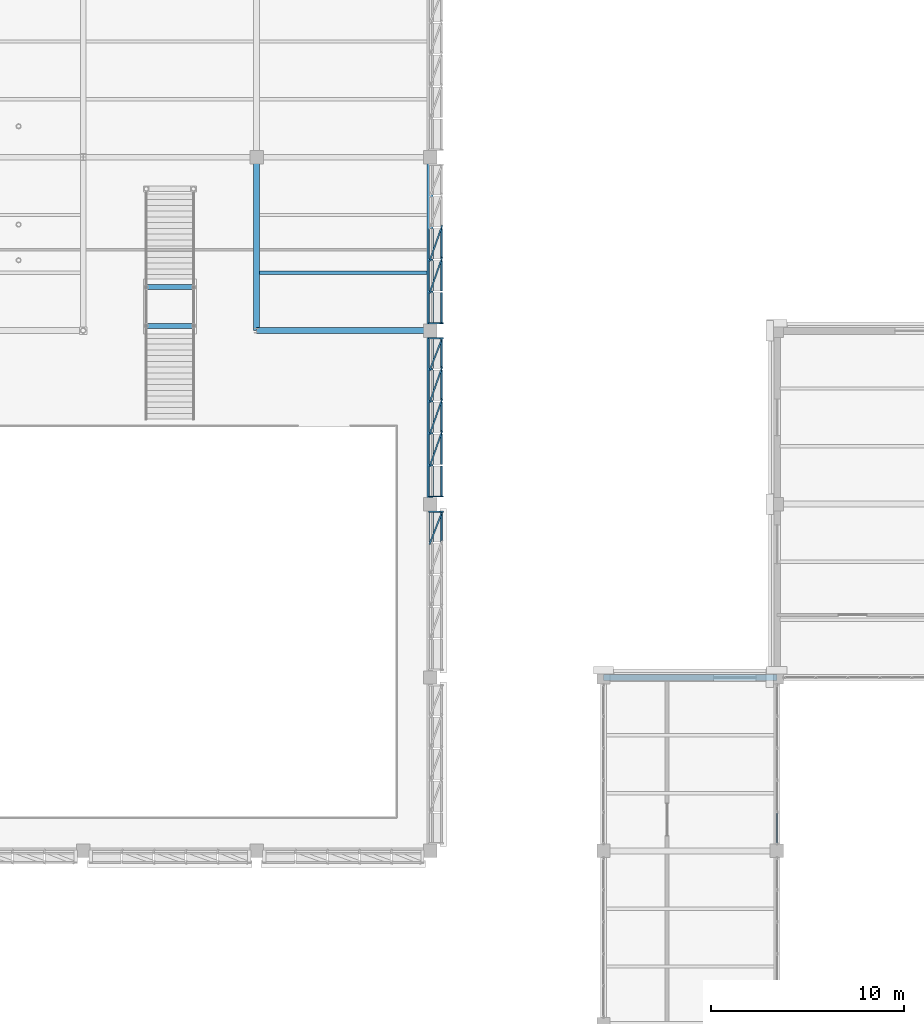
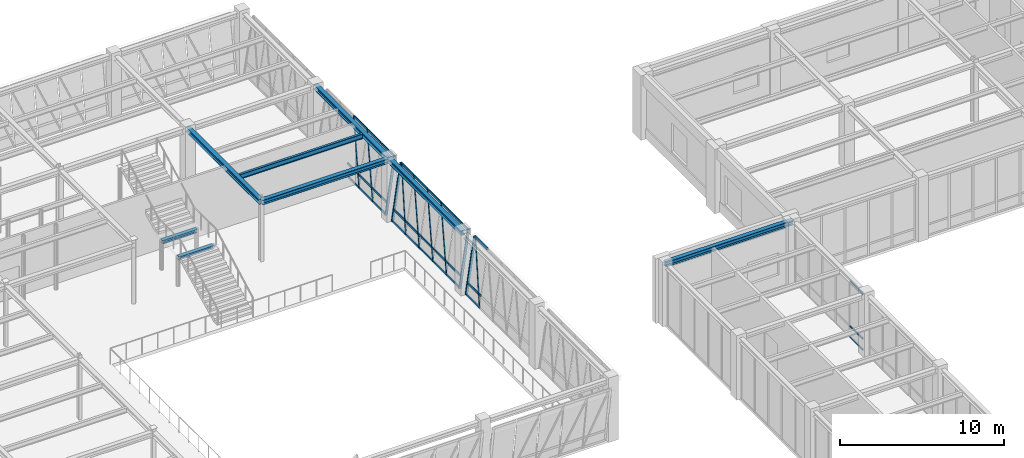
# One storey, part 59 of 92: 41 members, 8 beams, 4 elements without a shape of their own.
"""IFC4 building model written with IfcOpenShell, lengths in metres."""

from ifc_helpers import new_model, si_unit, direction, frame, origin, origin_2d, place, context, subcontext, project, spatial, hollow_rectangle, i_section, extrude, material, material_profile, profile_set, type_object, element, aggregate, save


model = new_model("IFC4")

# Units and contexts
model_context = context("Model", 3, precision=1e-05, world=origin(), true_north=direction((0.0, 1.0)))
body_context = subcontext(model_context, "Body", "Model", "MODEL_VIEW")
ifc_project = project(units=[si_unit("LENGTHUNIT", "METRE"), si_unit("AREAUNIT", "SQUARE_METRE"), si_unit("VOLUMEUNIT", "CUBIC_METRE"), si_unit("PLANEANGLEUNIT", "RADIAN"), si_unit("MASSUNIT", "GRAM", prefix="KILO")], contexts=[model_context])

# Site, building, storey
site_placement = place(None, origin())
site = spatial("IfcSite", under=ifc_project, at=site_placement, CompositionType="ELEMENT")
building_placement = place(site_placement, origin())
building = spatial("IfcBuilding", under=site, at=building_placement, Name="Lykobir Media Centre", CompositionType="ELEMENT")
storey_placement = place(building_placement, frame((0.0, 0.0, 5.39990234375)))
storey = spatial("IfcBuildingStorey", under=building, at=storey_placement, Name="L01", CompositionType="ELEMENT", Elevation=5.39990234375)

# Beams
ifc_material_1 = material(Name="Steel S355", Category="steel")
ifc_material_profile_1 = material_profile(ifc_material_1, i_section(OverallWidth=0.300048828125, OverallDepth=0.35009765625, WebThickness=0.010009765625, FlangeThickness=0.017578125, at=origin_2d()), Name="HEA 360")
ifc_profile_set_1 = profile_set([ifc_material_profile_1], Name="Steel S355")
beam_type_1 = type_object("IfcBeamType", Name="BM-HEA360", PredefinedType="BEAM", material=ifc_profile_set_1)
beam_1_placement = place(storey_placement, frame((72.0, 90.0, 4.385009765625), z_axis=(0.0, 1.0, 0.0), x_axis=(-1.0, 0.0, 0.0)))
element("IfcBeam", 1, at=beam_1_placement, inside=storey, type_object=beam_type_1, Name="Beam BM-L01-0720-0900-0720-0990-978", PredefinedType="BEAM", context=body_context, shape_type="SweptSolid", body=[
    extrude(i_section(OverallWidth=0.300048828125, OverallDepth=0.35009765625, WebThickness=0.010009765625, FlangeThickness=0.017578125, at=origin_2d()), origin(), (0.0, 0.0, 1.0), 9.0),
])
ifc_material_profile_2 = material_profile(ifc_material_1, i_section(OverallWidth=0.260009765625, OverallDepth=0.25, WebThickness=0.007568359375, FlangeThickness=0.012451171875, at=origin_2d()), Name="HEA 260")
ifc_profile_set_2 = profile_set([ifc_material_profile_2], Name="Steel S355")
beam_type_2 = type_object("IfcBeamType", Name="BM-ST260", PredefinedType="BEAM", material=ifc_profile_set_2)
for number, where, z_axis, x_axis, name in (
    (2, (66.27490234375, 90.25, 2.070068359375), (1.0, 0.0, 0.0), (0.0, 1.0, 0.0), "Valley stair landing beam 2"),
    (3, (66.27490234375, 92.25, 2.070068359375), (1.0, 0.0, 0.0), (0.0, 1.0, 0.0), "Valley stair landing beam 2"),
):
    element("IfcBeam", number, at=place(storey_placement, frame(where, z_axis=z_axis, x_axis=x_axis)), inside=storey, type_object=beam_type_2, Name=name, PredefinedType="BEAM", context=body_context, shape_type="SweptSolid", body=[
        extrude(i_section(OverallWidth=0.260009765625, OverallDepth=0.25, WebThickness=0.007568359375, FlangeThickness=0.012451171875, at=origin_2d()), origin(), (0.0, 0.0, 1.0), 2.4501953125),
    ])

# Curtain wall, members
ifc_material_2 = material(Name="Anodized Aluminium AW-6060", Category="aluminium")
curtain_wall_type_1 = type_object("IfcCurtainWallType", Name="CW-V6-CR1", PredefinedType="NOTDEFINED", material=ifc_material_2)
curtain_wall_1_placement = place(storey_placement, origin())
curtain_wall_1 = element("IfcCurtainWall", 4, at=curtain_wall_1_placement, inside=storey, type_object=curtain_wall_type_1, Name="Curtain wall CW2-L01-0059", PredefinedType="NOTDEFINED")
ifc_material_profile_3 = material_profile(ifc_material_2, hollow_rectangle(XDim=0.074951171875, YDim=0.179931640625, WallThickness=0.00390625, at=origin_2d()), Name="ALU MULLION 75x180")
ifc_profile_set_3 = profile_set([ifc_material_profile_3], Name="Anodized Aluminium AW-6060")
member_type_1 = type_object("IfcMemberType", Name="CWM-180", PredefinedType="MULLION", material=ifc_profile_set_3)
member_1_placement = place(storey_placement, frame((81.0, 78.987060546875, 0.0), z_axis=(0.133993559544, 0.34256027137, 0.929891491777), x_axis=(0.931290526487, -0.364277305463, 0.0)))
member_1 = element("IfcMember", 5, at=member_1_placement, type_object=member_type_1, Name="CW2-L01-0059 mullion 5", PredefinedType="MULLION", context=body_context, shape_type="SweptSolid", body=[
    extrude(hollow_rectangle(XDim=0.074951171875, YDim=0.179931640625, WallThickness=0.00390625, at=origin_2d()), origin(), (0.0, 0.0, 1.0), 4.511474609375),
])
member_2_placement = place(storey_placement, frame((81.0, 80.607421875, 0.0), z_axis=(0.142622832142, 0.0, 0.989777110137), x_axis=(0.0, -1.0, 0.0)))
member_2 = element("IfcMember", 6, at=member_2_placement, type_object=member_type_1, Name="CW2-L01-0059 mullion 6", PredefinedType="MULLION", context=body_context, shape_type="SweptSolid", body=[
    extrude(hollow_rectangle(XDim=0.074951171875, YDim=0.179931640625, WallThickness=0.00390625, at=origin_2d()), origin(), (0.0, 0.0, 1.0), 4.23828125),
])

curtain_wall_2_placement = place(storey_placement, origin())
curtain_wall_2 = element("IfcCurtainWall", 7, at=curtain_wall_2_placement, inside=storey, type_object=curtain_wall_type_1, Name="Curtain wall CW2-L01-0060", PredefinedType="NOTDEFINED")
member_3_placement = place(storey_placement, frame((81.0, 81.392578125, 0.0), z_axis=(0.142622832142, 0.0, 0.989777110137), x_axis=(0.0, -1.0, 0.0)))
member_3 = element("IfcMember", 8, at=member_3_placement, type_object=member_type_1, Name="CW2-L01-0060 mullion 1", PredefinedType="MULLION", context=body_context, shape_type="SweptSolid", body=[
    extrude(hollow_rectangle(XDim=0.074951171875, YDim=0.179931640625, WallThickness=0.00390625, at=origin_2d()), origin(), (0.0, 0.0, 1.0), 4.23828125),
])
member_4_placement = place(storey_placement, frame((81.0, 83.012939453125, 0.0), z_axis=(0.132237817099, 0.374602604658, 0.917706951217), x_axis=(0.942970475976, -0.332876375608, 0.0)))
member_4 = element("IfcMember", 9, at=member_4_placement, type_object=member_type_1, Name="CW2-L01-0060 mullion 2", PredefinedType="MULLION", context=body_context, shape_type="SweptSolid", body=[
    extrude(hollow_rectangle(XDim=0.074951171875, YDim=0.179931640625, WallThickness=0.00390625, at=origin_2d()), origin(), (0.0, 0.0, 1.0), 4.5712890625),
])
member_5_placement = place(storey_placement, frame((81.0, 84.6708984375, 0.0), z_axis=(0.132237817099, 0.374602604658, 0.917706951217), x_axis=(0.942970475976, -0.332876375608, 0.0)))
member_5 = element("IfcMember", 10, at=member_5_placement, type_object=member_type_1, Name="CW2-L01-0060 mullion 3", PredefinedType="MULLION", context=body_context, shape_type="SweptSolid", body=[
    extrude(hollow_rectangle(XDim=0.074951171875, YDim=0.179931640625, WallThickness=0.00390625, at=origin_2d()), origin(), (0.0, 0.0, 1.0), 4.5712890625),
])
member_6_placement = place(storey_placement, frame((81.0, 86.3291015625, 0.0), z_axis=(0.132237817099, 0.374602604658, 0.917706951217), x_axis=(0.942970475976, -0.332876375608, 0.0)))
member_6 = element("IfcMember", 11, at=member_6_placement, type_object=member_type_1, Name="CW2-L01-0060 mullion 4", PredefinedType="MULLION", context=body_context, shape_type="SweptSolid", body=[
    extrude(hollow_rectangle(XDim=0.074951171875, YDim=0.179931640625, WallThickness=0.00390625, at=origin_2d()), origin(), (0.0, 0.0, 1.0), 4.5712890625),
])
member_7_placement = place(storey_placement, frame((81.0, 87.987060546875, 0.0), z_axis=(0.133993559544, 0.34256027137, 0.929891491777), x_axis=(0.931290526487, -0.364277305463, 0.0)))
member_7 = element("IfcMember", 12, at=member_7_placement, type_object=member_type_1, Name="CW2-L01-0060 mullion 5", PredefinedType="MULLION", context=body_context, shape_type="SweptSolid", body=[
    extrude(hollow_rectangle(XDim=0.074951171875, YDim=0.179931640625, WallThickness=0.00390625, at=origin_2d()), origin(), (0.0, 0.0, 1.0), 4.511474609375),
])
member_8_placement = place(storey_placement, frame((81.0, 89.607421875, 0.0), z_axis=(0.142622832142, 0.0, 0.989777110137), x_axis=(0.0, -1.0, 0.0)))
member_8 = element("IfcMember", 13, at=member_8_placement, type_object=member_type_1, Name="CW2-L01-0060 mullion 6", PredefinedType="MULLION", context=body_context, shape_type="SweptSolid", body=[
    extrude(hollow_rectangle(XDim=0.074951171875, YDim=0.179931640625, WallThickness=0.00390625, at=origin_2d()), origin(), (0.0, 0.0, 1.0), 4.23828125),
])

curtain_wall_3_placement = place(storey_placement, origin())
curtain_wall_3 = element("IfcCurtainWall", 14, at=curtain_wall_3_placement, inside=storey, type_object=curtain_wall_type_1, Name="Curtain wall CW2-L01-0061", PredefinedType="NOTDEFINED")
member_9_placement = place(storey_placement, frame((81.0, 90.392578125, 0.0), z_axis=(0.142622832142, 0.0, 0.989777110137), x_axis=(0.0, -1.0, 0.0)))
member_9 = element("IfcMember", 15, at=member_9_placement, type_object=member_type_1, Name="CW2-L01-0061 mullion 1", PredefinedType="MULLION", context=body_context, shape_type="SweptSolid", body=[
    extrude(hollow_rectangle(XDim=0.074951171875, YDim=0.179931640625, WallThickness=0.00390625, at=origin_2d()), origin(), (0.0, 0.0, 1.0), 4.23828125),
])
member_10_placement = place(storey_placement, frame((81.0, 92.012939453125, 0.0), z_axis=(0.132237817099, 0.374602604658, 0.917706951217), x_axis=(0.942970475976, -0.332876375608, 0.0)))
member_10 = element("IfcMember", 16, at=member_10_placement, type_object=member_type_1, Name="CW2-L01-0061 mullion 2", PredefinedType="MULLION", context=body_context, shape_type="SweptSolid", body=[
    extrude(hollow_rectangle(XDim=0.074951171875, YDim=0.179931640625, WallThickness=0.00390625, at=origin_2d()), origin(), (0.0, 0.0, 1.0), 4.5712890625),
])
member_11_placement = place(storey_placement, frame((81.0, 93.6708984375, 0.0), z_axis=(0.132237817099, 0.374602604658, 0.917706951217), x_axis=(0.942970475976, -0.332876375608, 0.0)))
member_11 = element("IfcMember", 17, at=member_11_placement, type_object=member_type_1, Name="CW2-L01-0061 mullion 3", PredefinedType="MULLION", context=body_context, shape_type="SweptSolid", body=[
    extrude(hollow_rectangle(XDim=0.074951171875, YDim=0.179931640625, WallThickness=0.00390625, at=origin_2d()), origin(), (0.0, 0.0, 1.0), 4.5712890625),
])

curtain_wall_type_2 = type_object("IfcCurtainWallType", Name="CW-COURT-A", PredefinedType="NOTDEFINED", material=ifc_material_2)
curtain_wall_4_placement = place(storey_placement, origin())
curtain_wall_4 = element("IfcCurtainWall", 18, at=curtain_wall_4_placement, inside=storey, type_object=curtain_wall_type_2, Name="Curtain wall CW2-L01-0036", PredefinedType="NOTDEFINED")
ifc_material_profile_4 = material_profile(ifc_material_2, hollow_rectangle(XDim=0.06494140625, YDim=0.1201171875, WallThickness=0.0029296875, at=origin_2d()), Name="ALU TRANSOM 65x120")
ifc_profile_set_4 = profile_set([ifc_material_profile_4], Name="Anodized Aluminium AW-6060")
member_type_2 = type_object("IfcMemberType", Name="CWT-120", PredefinedType="USERDEFINED", material=ifc_profile_set_4)
member_12_placement = place(storey_placement, frame((99.0, 64.98046875, 0.03271484375), z_axis=(0.0, -1.0, 0.0), x_axis=(1.0, 0.0, 0.0)))
member_12 = element("IfcMember", 19, at=member_12_placement, type_object=member_type_2, Name="CW2-L01-0036 transom 5.1", ObjectType="TRANSOM", PredefinedType="USERDEFINED", context=body_context, shape_type="SweptSolid", body=[
    extrude(hollow_rectangle(XDim=0.06494140625, YDim=0.1201171875, WallThickness=0.0029296875, at=origin_2d()), origin(), (0.0, 0.0, 1.0), 1.560546875),
])
member_13_placement = place(storey_placement, frame((99.0, 64.98046875, 0.85009765625), z_axis=(0.0, -1.0, 0.0), x_axis=(1.0, 0.0, 0.0)))
member_13 = element("IfcMember", 20, at=member_13_placement, type_object=member_type_2, Name="CW2-L01-0036 transom 5.2", ObjectType="TRANSOM", PredefinedType="USERDEFINED", context=body_context, shape_type="SweptSolid", body=[
    extrude(hollow_rectangle(XDim=0.06494140625, YDim=0.1201171875, WallThickness=0.0029296875, at=origin_2d()), origin(), (0.0, 0.0, 1.0), 1.560546875),
])
member_14_placement = place(storey_placement, frame((99.0, 64.98046875, 4.16259765625), z_axis=(0.0, -1.0, 0.0), x_axis=(1.0, 0.0, 0.0)))
member_14 = element("IfcMember", 21, at=member_14_placement, type_object=member_type_2, Name="CW2-L01-0036 transom 5.3", ObjectType="TRANSOM", PredefinedType="USERDEFINED", context=body_context, shape_type="SweptSolid", body=[
    extrude(hollow_rectangle(XDim=0.06494140625, YDim=0.1201171875, WallThickness=0.0029296875, at=origin_2d()), origin(), (0.0, 0.0, 1.0), 1.560546875),
])
aggregate(curtain_wall_4, [member_12, member_13, member_14])

# Member
ifc_material_profile_5 = material_profile(ifc_material_2, hollow_rectangle(XDim=0.074951171875, YDim=0.14990234375, WallThickness=0.00341796875, at=origin_2d()), Name="ALU TRANSOM 75x150")
ifc_profile_set_5 = profile_set([ifc_material_profile_5], Name="Anodized Aluminium AW-6060")
member_type_3 = type_object("IfcMemberType", Name="CWT-150", PredefinedType="USERDEFINED", material=ifc_profile_set_5)
member_15_placement = place(storey_placement, frame((81.00537109375, 79.0244140625, 0.037109375), z_axis=(0.0, 1.0, 0.0), x_axis=(-0.989776230908, 0.0, 0.142628933706)))
member_15 = element("IfcMember", 22, at=member_15_placement, type_object=member_type_3, Name="CW2-L01-0059 transom 5.1", ObjectType="TRANSOM", PredefinedType="USERDEFINED", context=body_context, shape_type="SweptSolid", body=[
    extrude(hollow_rectangle(XDim=0.074951171875, YDim=0.14990234375, WallThickness=0.00341796875, at=origin_2d()), origin(), (0.0, 0.0, 1.0), 1.545654296875),
])

member_16_placement = place(storey_placement, frame((81.12109375, 79.0244140625, 0.84130859375), z_axis=(0.0, 1.0, 0.0), x_axis=(-0.989776230908, 0.0, 0.142628933706)))
member_16 = element("IfcMember", 23, at=member_16_placement, type_object=member_type_3, Name="CW2-L01-0059 transom 5.2", ObjectType="TRANSOM", PredefinedType="USERDEFINED", context=body_context, shape_type="SweptSolid", body=[
    extrude(hollow_rectangle(XDim=0.074951171875, YDim=0.14990234375, WallThickness=0.00341796875, at=origin_2d()), origin(), (0.0, 0.0, 1.0), 1.545654296875),
])

member_17_placement = place(storey_placement, frame((81.59912109375, 79.0244140625, 4.157958984375), z_axis=(0.0, 1.0, 0.0), x_axis=(-0.989776230908, 0.0, 0.142628933706)))
member_17 = element("IfcMember", 24, at=member_17_placement, type_object=member_type_3, Name="CW2-L01-0059 transom 5.3", ObjectType="TRANSOM", PredefinedType="USERDEFINED", context=body_context, shape_type="SweptSolid", body=[
    extrude(hollow_rectangle(XDim=0.074951171875, YDim=0.14990234375, WallThickness=0.00341796875, at=origin_2d()), origin(), (0.0, 0.0, 1.0), 1.545654296875),
])

aggregate(curtain_wall_1, [member_1, member_2, member_15, member_16, member_17])

member_18_placement = place(storey_placement, frame((81.00537109375, 81.429931640625, 0.037109375), z_axis=(0.0, 1.0, 0.0), x_axis=(-0.989776230908, 0.0, 0.142628933706)))
member_18 = element("IfcMember", 25, at=member_18_placement, type_object=member_type_3, Name="CW2-L01-0060 transom 1.1", ObjectType="TRANSOM", PredefinedType="USERDEFINED", context=body_context, shape_type="SweptSolid", body=[
    extrude(hollow_rectangle(XDim=0.074951171875, YDim=0.14990234375, WallThickness=0.00341796875, at=origin_2d()), origin(), (0.0, 0.0, 1.0), 1.545654296875),
])

member_19_placement = place(storey_placement, frame((81.12109375, 81.429931640625, 0.84130859375), z_axis=(0.0, 1.0, 0.0), x_axis=(-0.989776230908, 0.0, 0.142628933706)))
member_19 = element("IfcMember", 26, at=member_19_placement, type_object=member_type_3, Name="CW2-L01-0060 transom 1.2", ObjectType="TRANSOM", PredefinedType="USERDEFINED", context=body_context, shape_type="SweptSolid", body=[
    extrude(hollow_rectangle(XDim=0.074951171875, YDim=0.14990234375, WallThickness=0.00341796875, at=origin_2d()), origin(), (0.0, 0.0, 1.0), 1.545654296875),
])

member_20_placement = place(storey_placement, frame((81.59912109375, 81.429931640625, 4.157958984375), z_axis=(0.0, 1.0, 0.0), x_axis=(-0.989776230908, 0.0, 0.142628933706)))
member_20 = element("IfcMember", 27, at=member_20_placement, type_object=member_type_3, Name="CW2-L01-0060 transom 1.3", ObjectType="TRANSOM", PredefinedType="USERDEFINED", context=body_context, shape_type="SweptSolid", body=[
    extrude(hollow_rectangle(XDim=0.074951171875, YDim=0.14990234375, WallThickness=0.00341796875, at=origin_2d()), origin(), (0.0, 0.0, 1.0), 1.545654296875),
])

member_21_placement = place(storey_placement, frame((81.00537109375, 83.050537109375, 0.037109375), z_axis=(0.0, 1.0, 0.0), x_axis=(-0.989776230908, 0.0, 0.142628933706)))
member_21 = element("IfcMember", 28, at=member_21_placement, type_object=member_type_3, Name="CW2-L01-0060 transom 2.1", ObjectType="TRANSOM", PredefinedType="USERDEFINED", context=body_context, shape_type="SweptSolid", body=[
    extrude(hollow_rectangle(XDim=0.074951171875, YDim=0.14990234375, WallThickness=0.00341796875, at=origin_2d()), origin(), (0.0, 0.0, 1.0), 1.5830078125),
])

member_22_placement = place(storey_placement, frame((81.12109375, 83.050537109375, 0.84130859375), z_axis=(0.0, 1.0, 0.0), x_axis=(-0.989776230908, 0.0, 0.142628933706)))
member_22 = element("IfcMember", 29, at=member_22_placement, type_object=member_type_3, Name="CW2-L01-0060 transom 2.2", ObjectType="TRANSOM", PredefinedType="USERDEFINED", context=body_context, shape_type="SweptSolid", body=[
    extrude(hollow_rectangle(XDim=0.074951171875, YDim=0.14990234375, WallThickness=0.00341796875, at=origin_2d()), origin(), (0.0, 0.0, 1.0), 1.5830078125),
])

member_23_placement = place(storey_placement, frame((81.59912109375, 83.050537109375, 4.157958984375), z_axis=(0.0, 1.0, 0.0), x_axis=(-0.989776230908, 0.0, 0.142628933706)))
member_23 = element("IfcMember", 30, at=member_23_placement, type_object=member_type_3, Name="CW2-L01-0060 transom 2.3", ObjectType="TRANSOM", PredefinedType="USERDEFINED", context=body_context, shape_type="SweptSolid", body=[
    extrude(hollow_rectangle(XDim=0.074951171875, YDim=0.14990234375, WallThickness=0.00341796875, at=origin_2d()), origin(), (0.0, 0.0, 1.0), 1.5830078125),
])

member_24_placement = place(storey_placement, frame((81.00537109375, 84.70849609375, 0.037109375), z_axis=(0.0, 1.0, 0.0), x_axis=(-0.989776230908, 0.0, 0.142628933706)))
member_24 = element("IfcMember", 31, at=member_24_placement, type_object=member_type_3, Name="CW2-L01-0060 transom 3.1", ObjectType="TRANSOM", PredefinedType="USERDEFINED", context=body_context, shape_type="SweptSolid", body=[
    extrude(hollow_rectangle(XDim=0.074951171875, YDim=0.14990234375, WallThickness=0.00341796875, at=origin_2d()), origin(), (0.0, 0.0, 1.0), 1.5830078125),
])

member_25_placement = place(storey_placement, frame((81.12109375, 84.70849609375, 0.84130859375), z_axis=(0.0, 1.0, 0.0), x_axis=(-0.989776230908, 0.0, 0.142628933706)))
member_25 = element("IfcMember", 32, at=member_25_placement, type_object=member_type_3, Name="CW2-L01-0060 transom 3.2", ObjectType="TRANSOM", PredefinedType="USERDEFINED", context=body_context, shape_type="SweptSolid", body=[
    extrude(hollow_rectangle(XDim=0.074951171875, YDim=0.14990234375, WallThickness=0.00341796875, at=origin_2d()), origin(), (0.0, 0.0, 1.0), 1.5830078125),
])

member_26_placement = place(storey_placement, frame((81.59912109375, 84.70849609375, 4.157958984375), z_axis=(0.0, 1.0, 0.0), x_axis=(-0.989776230908, 0.0, 0.142628933706)))
member_26 = element("IfcMember", 33, at=member_26_placement, type_object=member_type_3, Name="CW2-L01-0060 transom 3.3", ObjectType="TRANSOM", PredefinedType="USERDEFINED", context=body_context, shape_type="SweptSolid", body=[
    extrude(hollow_rectangle(XDim=0.074951171875, YDim=0.14990234375, WallThickness=0.00341796875, at=origin_2d()), origin(), (0.0, 0.0, 1.0), 1.5830078125),
])

member_27_placement = place(storey_placement, frame((81.00537109375, 86.366455078125, 0.037109375), z_axis=(0.0, 1.0, 0.0), x_axis=(-0.989776230908, 0.0, 0.142628933706)))
member_27 = element("IfcMember", 34, at=member_27_placement, type_object=member_type_3, Name="CW2-L01-0060 transom 4.1", ObjectType="TRANSOM", PredefinedType="USERDEFINED", context=body_context, shape_type="SweptSolid", body=[
    extrude(hollow_rectangle(XDim=0.074951171875, YDim=0.14990234375, WallThickness=0.00341796875, at=origin_2d()), origin(), (0.0, 0.0, 1.0), 1.5830078125),
])

member_28_placement = place(storey_placement, frame((81.12109375, 86.366455078125, 0.84130859375), z_axis=(0.0, 1.0, 0.0), x_axis=(-0.989776230908, 0.0, 0.142628933706)))
member_28 = element("IfcMember", 35, at=member_28_placement, type_object=member_type_3, Name="CW2-L01-0060 transom 4.2", ObjectType="TRANSOM", PredefinedType="USERDEFINED", context=body_context, shape_type="SweptSolid", body=[
    extrude(hollow_rectangle(XDim=0.074951171875, YDim=0.14990234375, WallThickness=0.00341796875, at=origin_2d()), origin(), (0.0, 0.0, 1.0), 1.5830078125),
])

member_29_placement = place(storey_placement, frame((81.59912109375, 86.366455078125, 4.157958984375), z_axis=(0.0, 1.0, 0.0), x_axis=(-0.989776230908, 0.0, 0.142628933706)))
member_29 = element("IfcMember", 36, at=member_29_placement, type_object=member_type_3, Name="CW2-L01-0060 transom 4.3", ObjectType="TRANSOM", PredefinedType="USERDEFINED", context=body_context, shape_type="SweptSolid", body=[
    extrude(hollow_rectangle(XDim=0.074951171875, YDim=0.14990234375, WallThickness=0.00341796875, at=origin_2d()), origin(), (0.0, 0.0, 1.0), 1.5830078125),
])

member_30_placement = place(storey_placement, frame((81.00537109375, 88.0244140625, 0.037109375), z_axis=(0.0, 1.0, 0.0), x_axis=(-0.989776230908, 0.0, 0.142628933706)))
member_30 = element("IfcMember", 37, at=member_30_placement, type_object=member_type_3, Name="CW2-L01-0060 transom 5.1", ObjectType="TRANSOM", PredefinedType="USERDEFINED", context=body_context, shape_type="SweptSolid", body=[
    extrude(hollow_rectangle(XDim=0.074951171875, YDim=0.14990234375, WallThickness=0.00341796875, at=origin_2d()), origin(), (0.0, 0.0, 1.0), 1.545654296875),
])

member_31_placement = place(storey_placement, frame((81.12109375, 88.0244140625, 0.84130859375), z_axis=(0.0, 1.0, 0.0), x_axis=(-0.989776230908, 0.0, 0.142628933706)))
member_31 = element("IfcMember", 38, at=member_31_placement, type_object=member_type_3, Name="CW2-L01-0060 transom 5.2", ObjectType="TRANSOM", PredefinedType="USERDEFINED", context=body_context, shape_type="SweptSolid", body=[
    extrude(hollow_rectangle(XDim=0.074951171875, YDim=0.14990234375, WallThickness=0.00341796875, at=origin_2d()), origin(), (0.0, 0.0, 1.0), 1.545654296875),
])

member_32_placement = place(storey_placement, frame((81.59912109375, 88.0244140625, 4.157958984375), z_axis=(0.0, 1.0, 0.0), x_axis=(-0.989776230908, 0.0, 0.142628933706)))
member_32 = element("IfcMember", 39, at=member_32_placement, type_object=member_type_3, Name="CW2-L01-0060 transom 5.3", ObjectType="TRANSOM", PredefinedType="USERDEFINED", context=body_context, shape_type="SweptSolid", body=[
    extrude(hollow_rectangle(XDim=0.074951171875, YDim=0.14990234375, WallThickness=0.00341796875, at=origin_2d()), origin(), (0.0, 0.0, 1.0), 1.545654296875),
])

aggregate(curtain_wall_2, [member_3, member_4, member_5, member_6, member_7, member_8, member_18, member_19, member_20, member_21, member_22, member_23, member_24, member_25, member_26, member_27, member_28, member_29, member_30, member_31, member_32])

member_33_placement = place(storey_placement, frame((81.00537109375, 90.429931640625, 0.037109375), z_axis=(0.0, 1.0, 0.0), x_axis=(-0.989776230908, 0.0, 0.142628933706)))
member_33 = element("IfcMember", 40, at=member_33_placement, type_object=member_type_3, Name="CW2-L01-0061 transom 1.1", ObjectType="TRANSOM", PredefinedType="USERDEFINED", context=body_context, shape_type="SweptSolid", body=[
    extrude(hollow_rectangle(XDim=0.074951171875, YDim=0.14990234375, WallThickness=0.00341796875, at=origin_2d()), origin(), (0.0, 0.0, 1.0), 1.545654296875),
])

member_34_placement = place(storey_placement, frame((81.12109375, 90.429931640625, 0.84130859375), z_axis=(0.0, 1.0, 0.0), x_axis=(-0.989776230908, 0.0, 0.142628933706)))
member_34 = element("IfcMember", 41, at=member_34_placement, type_object=member_type_3, Name="CW2-L01-0061 transom 1.2", ObjectType="TRANSOM", PredefinedType="USERDEFINED", context=body_context, shape_type="SweptSolid", body=[
    extrude(hollow_rectangle(XDim=0.074951171875, YDim=0.14990234375, WallThickness=0.00341796875, at=origin_2d()), origin(), (0.0, 0.0, 1.0), 1.545654296875),
])

member_35_placement = place(storey_placement, frame((81.59912109375, 90.429931640625, 4.157958984375), z_axis=(0.0, 1.0, 0.0), x_axis=(-0.989776230908, 0.0, 0.142628933706)))
member_35 = element("IfcMember", 42, at=member_35_placement, type_object=member_type_3, Name="CW2-L01-0061 transom 1.3", ObjectType="TRANSOM", PredefinedType="USERDEFINED", context=body_context, shape_type="SweptSolid", body=[
    extrude(hollow_rectangle(XDim=0.074951171875, YDim=0.14990234375, WallThickness=0.00341796875, at=origin_2d()), origin(), (0.0, 0.0, 1.0), 1.545654296875),
])

member_36_placement = place(storey_placement, frame((81.00537109375, 92.050537109375, 0.037109375), z_axis=(0.0, 1.0, 0.0), x_axis=(-0.989776230908, 0.0, 0.142628933706)))
member_36 = element("IfcMember", 43, at=member_36_placement, type_object=member_type_3, Name="CW2-L01-0061 transom 2.1", ObjectType="TRANSOM", PredefinedType="USERDEFINED", context=body_context, shape_type="SweptSolid", body=[
    extrude(hollow_rectangle(XDim=0.074951171875, YDim=0.14990234375, WallThickness=0.00341796875, at=origin_2d()), origin(), (0.0, 0.0, 1.0), 1.5830078125),
])

member_37_placement = place(storey_placement, frame((81.12109375, 92.050537109375, 0.84130859375), z_axis=(0.0, 1.0, 0.0), x_axis=(-0.989776230908, 0.0, 0.142628933706)))
member_37 = element("IfcMember", 44, at=member_37_placement, type_object=member_type_3, Name="CW2-L01-0061 transom 2.2", ObjectType="TRANSOM", PredefinedType="USERDEFINED", context=body_context, shape_type="SweptSolid", body=[
    extrude(hollow_rectangle(XDim=0.074951171875, YDim=0.14990234375, WallThickness=0.00341796875, at=origin_2d()), origin(), (0.0, 0.0, 1.0), 1.5830078125),
])

member_38_placement = place(storey_placement, frame((81.59912109375, 92.050537109375, 4.157958984375), z_axis=(0.0, 1.0, 0.0), x_axis=(-0.989776230908, 0.0, 0.142628933706)))
member_38 = element("IfcMember", 45, at=member_38_placement, type_object=member_type_3, Name="CW2-L01-0061 transom 2.3", ObjectType="TRANSOM", PredefinedType="USERDEFINED", context=body_context, shape_type="SweptSolid", body=[
    extrude(hollow_rectangle(XDim=0.074951171875, YDim=0.14990234375, WallThickness=0.00341796875, at=origin_2d()), origin(), (0.0, 0.0, 1.0), 1.5830078125),
])

member_39_placement = place(storey_placement, frame((81.00537109375, 93.70849609375, 0.037109375), z_axis=(0.0, 1.0, 0.0), x_axis=(-0.989776230908, 0.0, 0.142628933706)))
member_39 = element("IfcMember", 46, at=member_39_placement, type_object=member_type_3, Name="CW2-L01-0061 transom 3.1", ObjectType="TRANSOM", PredefinedType="USERDEFINED", context=body_context, shape_type="SweptSolid", body=[
    extrude(hollow_rectangle(XDim=0.074951171875, YDim=0.14990234375, WallThickness=0.00341796875, at=origin_2d()), origin(), (0.0, 0.0, 1.0), 1.5830078125),
])

member_40_placement = place(storey_placement, frame((81.12109375, 93.70849609375, 0.84130859375), z_axis=(0.0, 1.0, 0.0), x_axis=(-0.989776230908, 0.0, 0.142628933706)))
member_40 = element("IfcMember", 47, at=member_40_placement, type_object=member_type_3, Name="CW2-L01-0061 transom 3.2", ObjectType="TRANSOM", PredefinedType="USERDEFINED", context=body_context, shape_type="SweptSolid", body=[
    extrude(hollow_rectangle(XDim=0.074951171875, YDim=0.14990234375, WallThickness=0.00341796875, at=origin_2d()), origin(), (0.0, 0.0, 1.0), 1.5830078125),
])

member_41_placement = place(storey_placement, frame((81.59912109375, 93.70849609375, 4.157958984375), z_axis=(0.0, 1.0, 0.0), x_axis=(-0.989776230908, 0.0, 0.142628933706)))
member_41 = element("IfcMember", 48, at=member_41_placement, type_object=member_type_3, Name="CW2-L01-0061 transom 3.3", ObjectType="TRANSOM", PredefinedType="USERDEFINED", context=body_context, shape_type="SweptSolid", body=[
    extrude(hollow_rectangle(XDim=0.074951171875, YDim=0.14990234375, WallThickness=0.00341796875, at=origin_2d()), origin(), (0.0, 0.0, 1.0), 1.5830078125),
])

aggregate(curtain_wall_3, [member_9, member_10, member_11, member_33, member_34, member_35, member_36, member_37, member_38, member_39, member_40, member_41])

# Beams
ifc_material_profile_6 = material_profile(ifc_material_1, i_section(OverallWidth=0.169921875, OverallDepth=0.360107421875, WebThickness=0.008056640625, FlangeThickness=0.0126953125, at=origin_2d()), Name="IPE 360")
ifc_profile_set_6 = profile_set([ifc_material_profile_6], Name="Steel S355")
beam_type_3 = type_object("IfcBeamType", Name="JS-IPE360", PredefinedType="JOIST", material=ifc_profile_set_6)
beam_2_placement = place(storey_placement, frame((72.14990234375, 93.0, 4.380126953125), z_axis=(1.0, 0.0, 0.0), x_axis=(0.0, 1.0, 0.0)))
element("IfcBeam", 49, at=beam_2_placement, inside=storey, type_object=beam_type_3, Name="Beam BM-L01-0722-0930-0808-0930-978", PredefinedType="JOIST", context=body_context, shape_type="SweptSolid", body=[
    extrude(i_section(OverallWidth=0.169921875, OverallDepth=0.360107421875, WebThickness=0.008056640625, FlangeThickness=0.0126953125, at=origin_2d()), origin(), (0.0, 0.0, 1.0), 8.7001953125),
])
ifc_material_profile_7 = material_profile(ifc_material_1, i_section(OverallWidth=0.300048828125, OverallDepth=0.35009765625, WebThickness=0.010009765625, FlangeThickness=0.017578125, at=origin_2d()), Name="HEA 360")
ifc_profile_set_7 = profile_set([ifc_material_profile_7], Name="Steel S355")
beam_type_4 = type_object("IfcBeamType", Name="SP-HEA360", PredefinedType="SPANDREL", material=ifc_profile_set_7)
for number, where, z_axis, x_axis, name in (
    (50, (90.0, 72.0, 4.385009765625), (1.0, 0.0, 0.0), (0.0, 1.0, 0.0), "Beam BM-L01-0900-0720-0990-0720-978"),
    (51, (72.0, 90.0, 4.385009765625), (1.0, 0.0, 0.0), (0.0, 1.0, 0.0), "Beam BM-L01-0720-0900-0810-0900-978"),
):
    element("IfcBeam", number, at=place(storey_placement, frame(where, z_axis=z_axis, x_axis=x_axis)), inside=storey, type_object=beam_type_4, Name=name, PredefinedType="SPANDREL", context=body_context, shape_type="SweptSolid", body=[
        extrude(i_section(OverallWidth=0.300048828125, OverallDepth=0.35009765625, WebThickness=0.010009765625, FlangeThickness=0.017578125, at=origin_2d()), origin(), (0.0, 0.0, 1.0), 9.0),
    ])
ifc_material_profile_8 = material_profile(ifc_material_1, i_section(OverallWidth=0.300048828125, OverallDepth=0.35009765625, WebThickness=0.010009765625, FlangeThickness=0.017578125, at=origin_2d()), Name="HEA 360")
ifc_profile_set_8 = profile_set([ifc_material_profile_8], Name="Steel S355")
beam_type_5 = type_object("IfcBeamType", Name="SP-HEA360-E", PredefinedType="SPANDREL", material=ifc_profile_set_8)
for number, where, z_axis, x_axis, name in (
    (52, (81.0, 81.0, 4.385009765625), (0.0, 1.0, 0.0), (-1.0, 0.0, 0.0), "Beam BM-L01-0810-0810-0810-0900-978"),
    (53, (81.0, 90.0, 4.385009765625), (0.0, 1.0, 0.0), (-1.0, 0.0, 0.0), "Beam BM-L01-0810-0900-0810-0990-978"),
):
    element("IfcBeam", number, at=place(storey_placement, frame(where, z_axis=z_axis, x_axis=x_axis)), inside=storey, type_object=beam_type_5, Name=name, PredefinedType="SPANDREL", context=body_context, shape_type="SweptSolid", body=[
        extrude(i_section(OverallWidth=0.300048828125, OverallDepth=0.35009765625, WebThickness=0.010009765625, FlangeThickness=0.017578125, at=origin_2d()), origin(), (0.0, 0.0, 1.0), 9.0),
    ])

save(model, "model.ifc")
